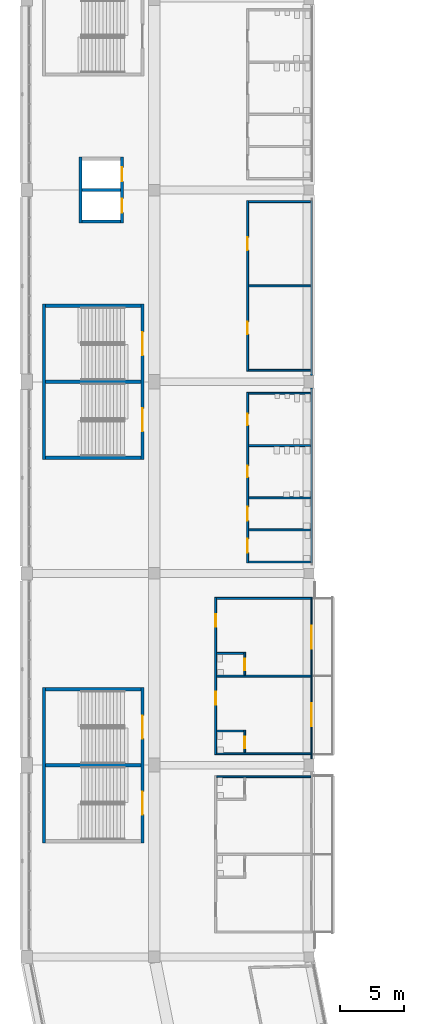
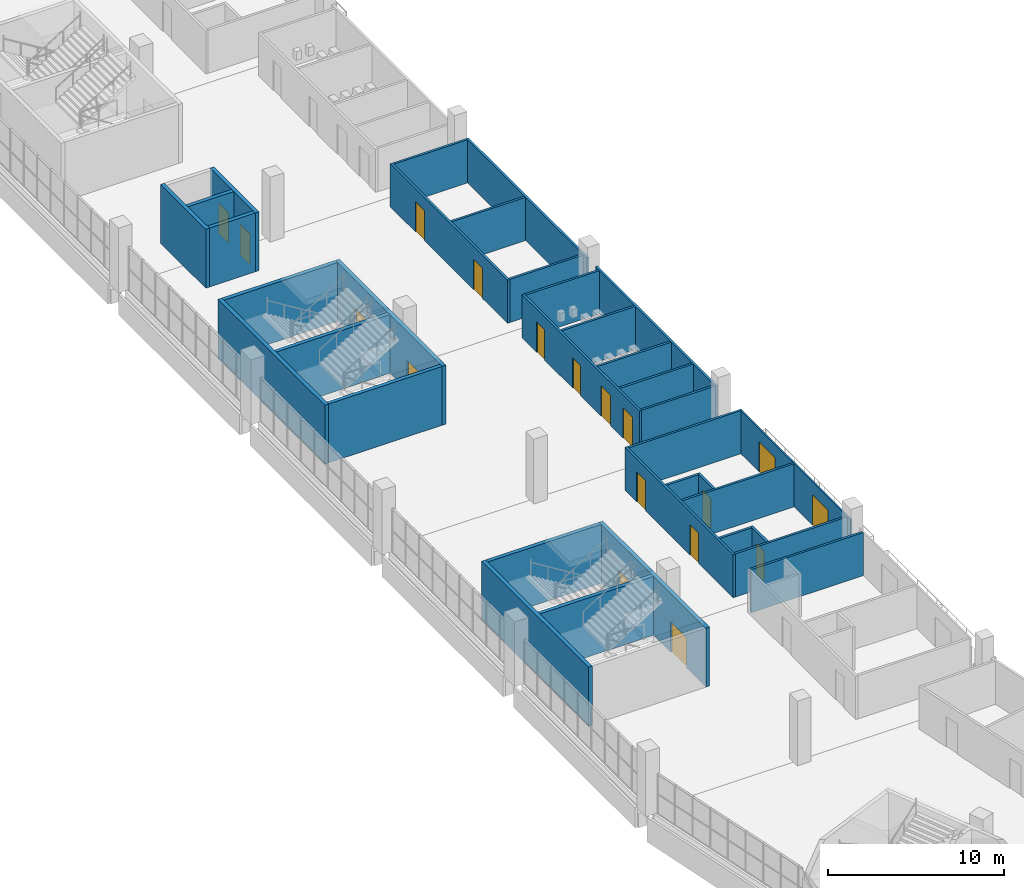
# One storey, part 77 of 199: 35 walls, 18 doors, 18 openings.
"""IFC4 building model written with IfcOpenShell, lengths in metres."""

from ifc_helpers import new_model, si_unit, direction, frame, frame_2d, origin, place, context, subcontext, project, spatial, rectangle, extrude, material, layer, layer_set, type_object, element, fill, save


model = new_model("IFC4")

# Units and contexts
model_context = context("Model", 3, precision=1e-05, world=origin(), true_north=direction((0.0, 1.0)))
body_context = subcontext(model_context, "Body", "Model", "MODEL_VIEW")
ifc_project = project(units=[si_unit("LENGTHUNIT", "METRE"), si_unit("AREAUNIT", "SQUARE_METRE"), si_unit("VOLUMEUNIT", "CUBIC_METRE"), si_unit("PLANEANGLEUNIT", "RADIAN"), si_unit("MASSUNIT", "GRAM", prefix="KILO")], contexts=[model_context])

# Site, building, storey
site_placement = place(None, origin())
site = spatial("IfcSite", under=ifc_project, at=site_placement, CompositionType="ELEMENT")
building_placement = place(site_placement, origin())
building = spatial("IfcBuilding", under=site, at=building_placement, Name="Ogive Plaza Stadium", CompositionType="ELEMENT")
storey_placement = place(building_placement, frame((0.0, 0.0, 9.0)))
storey = spatial("IfcBuildingStorey", under=building, at=storey_placement, Name="L02", CompositionType="ELEMENT", Elevation=9.0)

# Wall
ifc_material_1 = material(Name="Masonry blockwork", Category="masonry")
ifc_layer_1 = layer(ifc_material_1, 0.14990234375)
ifc_layer_set_1 = layer_set([ifc_layer_1], Name="Blockwork wall 150")
wall_type_1 = type_object("IfcWallType", Name="Blockwork wall 150", PredefinedType="SOLIDWALL", material=ifc_layer_set_1)
wall_1_placement = place(storey_placement, frame((-61.75, -38.39990234375, 0.0), z_axis=(0.0, 0.0, 1.0), x_axis=(-1.0, 0.0, 0.0)))
element("IfcWall", 1, at=wall_1_placement, inside=storey, type_object=wall_type_1, Name="Wall L02 B21", PredefinedType="SOLIDWALL", context=body_context, shape_type="SweptSolid", body=[
    extrude(rectangle(XDim=7.375, YDim=0.14990234375, at=frame_2d((3.6875, 0.0))), origin(), (0.0, 0.0, 1.0), 3.0),
])

# Wall, openings, doors
wall_2_placement = place(storey_placement, frame((-69.199951171875, -36.675048828125, 0.0), z_axis=(0.0, 0.0, 1.0), x_axis=(0.0, 1.0, 0.0)))
wall_2 = element("IfcWall", 2, at=wall_2_placement, inside=storey, type_object=wall_type_1, Name="Wall L02 B22", PredefinedType="SOLIDWALL", context=body_context, shape_type="SweptSolid", body=[
    extrude(rectangle(XDim=12.300048828125, YDim=0.14990234375, at=frame_2d((6.14990234375, 0.0))), origin(), (0.0, 0.0, 1.0), 3.0),
])
opening_1_placement = place(wall_2_placement, frame((3.916015625, 0.0, 0.0)))
opening_1 = element("IfcOpeningElement", 3, at=opening_1_placement, cuts=wall_2, Name="Opening D0685", PredefinedType="OPENING", context=body_context, shape_type="SweptSolid", body=[
    extrude(rectangle(XDim=1.0, YDim=2.10009765625, at=frame_2d((0.5, 1.050048828125))), frame((0.0, 0.074951171875, 0.0), z_axis=(0.0, -1.0, 0.0), x_axis=(1.0, 0.0, 0.0)), (0.0, 0.0, 1.0), 0.14990234375),
])
opening_2_placement = place(wall_2_placement, frame((9.990966796875, 0.0, 0.0)))
opening_2 = element("IfcOpeningElement", 4, at=opening_2_placement, cuts=wall_2, Name="Opening D0686", PredefinedType="OPENING", context=body_context, shape_type="SweptSolid", body=[
    extrude(rectangle(XDim=1.0, YDim=2.10009765625, at=frame_2d((0.5, 1.050048828125))), frame((0.0, 0.074951171875, 0.0), z_axis=(0.0, -1.0, 0.0), x_axis=(1.0, 0.0, 0.0)), (0.0, 0.0, 1.0), 0.14990234375),
])
ifc_material_2 = material(Name="Steel ASTM A572 Grade 50", Category="steel")
door_type_1 = type_object("IfcDoorType", Name="Fire door FD30S 1000 x 2100", OperationType="SINGLE_SWING_LEFT", PredefinedType="DOOR", material=ifc_material_2)
door_1_placement = place(opening_1_placement, origin())
door_1 = element("IfcDoor", 5, at=door_1_placement, inside=storey, type_object=door_type_1, Name="Hospitality Suite B22 door", OperationType="SINGLE_SWING_RIGHT", OverallHeight=2.10009765625, OverallWidth=1.0, PredefinedType="DOOR", context=body_context, shape_type="SweptSolid", body=[
    extrude(rectangle(XDim=1.0, YDim=2.10009765625, at=frame_2d((0.5, 1.050048828125))), frame((0.0, 0.02490234375, 0.0), z_axis=(0.0, -1.0, 0.0), x_axis=(1.0, 0.0, 0.0)), (0.0, 0.0, 1.0), 0.050048828125),
])
fill(opening_1, door_1)
door_2_placement = place(opening_2_placement, origin())
door_2 = element("IfcDoor", 6, at=door_2_placement, inside=storey, type_object=door_type_1, Name="Hospitality Suite B22 door", OperationType="SINGLE_SWING_RIGHT", OverallHeight=2.10009765625, OverallWidth=1.0, PredefinedType="DOOR", context=body_context, shape_type="SweptSolid", body=[
    extrude(rectangle(XDim=1.0, YDim=2.10009765625, at=frame_2d((0.5, 1.050048828125))), frame((0.0, 0.02490234375, 0.0), z_axis=(0.0, -1.0, 0.0), x_axis=(1.0, 0.0, 0.0)), (0.0, 0.0, 1.0), 0.050048828125),
])
fill(opening_2, door_2)

# Walls
for number, where, z_axis, x_axis, name in (
    (7, (-61.75, -36.60009765625, 0.0), (0.0, 0.0, 1.0), (-1.0, 0.0, 0.0), "Wall L02 B22"),
    (8, (-61.75, -30.52490234375, 0.0), (0.0, 0.0, 1.0), (-1.0, 0.0, 0.0), "Wall L02 B22"),
    (9, (-61.75, -24.449951171875, 0.0), (0.0, 0.0, 1.0), (-1.0, 0.0, 0.0), "Wall L02 B22"),
):
    element("IfcWall", number, at=place(storey_placement, frame(where, z_axis=z_axis, x_axis=x_axis)), inside=storey, type_object=wall_type_1, Name=name, PredefinedType="SOLIDWALL", context=body_context, shape_type="SweptSolid", body=[
        extrude(rectangle(XDim=7.375, YDim=0.14990234375, at=frame_2d((3.6875, 0.0))), origin(), (0.0, 0.0, 1.0), 3.0),
    ])
wall_3_placement = place(storey_placement, frame((-61.699951171875, -7.0, 0.0), z_axis=(0.0, 0.0, 1.0), x_axis=(0.0, 1.0, 0.0)))
element("IfcWall", 10, at=wall_3_placement, inside=storey, type_object=wall_type_1, Name="Wall L02 B24", PredefinedType="SOLIDWALL", context=body_context, shape_type="SweptSolid", body=[
    extrude(rectangle(XDim=13.675048828125, YDim=0.14990234375, at=frame_2d((6.83740234375, 0.0))), origin(), (0.0, 0.0, 1.0), 3.0),
])

# Wall, openings, doors
wall_4_placement = place(storey_placement, frame((-66.699951171875, -6.675048828125, 0.0), z_axis=(0.0, 0.0, 1.0), x_axis=(0.0, 1.0, 0.0)))
wall_4 = element("IfcWall", 11, at=wall_4_placement, inside=storey, type_object=wall_type_1, Name="Wall L02 B24", PredefinedType="SOLIDWALL", context=body_context, shape_type="SweptSolid", body=[
    extrude(rectangle(XDim=13.35009765625, YDim=0.14990234375, at=frame_2d((6.675048828125, 0.0))), origin(), (0.0, 0.0, 1.0), 3.0),
])
opening_3_placement = place(wall_4_placement, frame((2.875, 0.0, 0.0)))
opening_3 = element("IfcOpeningElement", 12, at=opening_3_placement, cuts=wall_4, Name="Opening D0695", PredefinedType="OPENING", context=body_context, shape_type="SweptSolid", body=[
    extrude(rectangle(XDim=1.0, YDim=2.10009765625, at=frame_2d((0.5, 1.050048828125))), frame((0.0, 0.074951171875, 0.0), z_axis=(0.0, -1.0, 0.0), x_axis=(1.0, 0.0, 0.0)), (0.0, 0.0, 1.0), 0.14990234375),
])
opening_4_placement = place(wall_4_placement, frame((9.47509765625, 0.0, 0.0)))
opening_4 = element("IfcOpeningElement", 13, at=opening_4_placement, cuts=wall_4, Name="Opening D0696", PredefinedType="OPENING", context=body_context, shape_type="SweptSolid", body=[
    extrude(rectangle(XDim=1.0, YDim=2.10009765625, at=frame_2d((0.5, 1.050048828125))), frame((0.0, 0.074951171875, 0.0), z_axis=(0.0, -1.0, 0.0), x_axis=(1.0, 0.0, 0.0)), (0.0, 0.0, 1.0), 0.14990234375),
])
ifc_material_3 = material(Name="Steel ASTM A572 Grade 50", Category="steel")
door_type_2 = type_object("IfcDoorType", Name="Fire door FD60 1000 x 2100", OperationType="SINGLE_SWING_LEFT", PredefinedType="DOOR", material=ifc_material_3)
door_3_placement = place(opening_3_placement, origin())
door_3 = element("IfcDoor", 14, at=door_3_placement, inside=storey, type_object=door_type_2, Name="Hospitality Pantry B24 door", OperationType="SINGLE_SWING_RIGHT", OverallHeight=2.10009765625, OverallWidth=1.0, PredefinedType="DOOR", context=body_context, shape_type="SweptSolid", body=[
    extrude(rectangle(XDim=1.0, YDim=2.10009765625, at=frame_2d((0.5, 1.050048828125))), frame((0.0, 0.02490234375, 0.0), z_axis=(0.0, -1.0, 0.0), x_axis=(1.0, 0.0, 0.0)), (0.0, 0.0, 1.0), 0.050048828125),
])
fill(opening_3, door_3)
door_4_placement = place(opening_4_placement, origin())
door_4 = element("IfcDoor", 15, at=door_4_placement, inside=storey, type_object=door_type_2, Name="Hospitality Store B24 door", OperationType="SINGLE_SWING_LEFT", OverallHeight=2.10009765625, OverallWidth=1.0, PredefinedType="DOOR", context=body_context, shape_type="SweptSolid", body=[
    extrude(rectangle(XDim=1.0, YDim=2.10009765625, at=frame_2d((0.5, 1.050048828125))), frame((0.0, 0.02490234375, 0.0), z_axis=(0.0, -1.0, 0.0), x_axis=(1.0, 0.0, 0.0)), (0.0, 0.0, 1.0), 0.050048828125),
])
fill(opening_4, door_4)

# Walls
for number, where, z_axis, x_axis, name in (
    (16, (-61.77490234375, -6.60009765625, 0.0), (0.0, 0.0, 1.0), (-1.0, 0.0, 0.0), "Wall L02 B24"),
    (17, (-61.77490234375, 0.0, 0.0), (0.0, 0.0, 1.0), (-1.0, 0.0, 0.0), "Wall L02 B24"),
    (18, (-61.77490234375, 6.60009765625, 0.0), (0.0, 0.0, 1.0), (-1.0, 0.0, 0.0), "Wall L02 B24"),
):
    element("IfcWall", number, at=place(storey_placement, frame(where, z_axis=z_axis, x_axis=x_axis)), inside=storey, type_object=wall_type_1, Name=name, PredefinedType="SOLIDWALL", context=body_context, shape_type="SweptSolid", body=[
        extrude(rectangle(XDim=4.85009765625, YDim=0.14990234375, at=frame_2d((2.425048828125, 0.0))), origin(), (0.0, 0.0, 1.0), 3.0),
    ])

# Wall, openings, doors
ifc_material_4 = material(Name="Concrete C40/50", Category="concrete")
ifc_layer_2 = layer(ifc_material_4, 0.25)
ifc_layer_set_2 = layer_set([ifc_layer_2], Name="Concrete C40/50")
wall_type_2 = type_object("IfcWallType", Name="Core wall 250", PredefinedType="SHEAR", material=ifc_layer_set_2)
wall_5_placement = place(storey_placement, frame((-74.925048828125, -31.425048828125, 0.0), z_axis=(0.0, 0.0, 1.0), x_axis=(0.0, -1.0, 0.0)))
wall_5 = element("IfcWall", 19, at=wall_5_placement, inside=storey, type_object=wall_type_2, Name="Stair core R22 inner wall", PredefinedType="SHEAR", context=body_context, shape_type="SweptSolid", body=[
    extrude(rectangle(XDim=12.14990234375, YDim=0.25, at=frame_2d((6.074951171875, 0.0))), origin(), (0.0, 0.0, 1.0), 4.090087890625),
])
opening_5_placement = place(wall_5_placement, frame((2.199951171875, 0.0, 0.0)))
opening_5 = element("IfcOpeningElement", 20, at=opening_5_placement, cuts=wall_5, Name="Opening D0175", PredefinedType="OPENING", context=body_context, shape_type="SweptSolid", body=[
    extrude(rectangle(XDim=1.800048828125, YDim=2.10009765625, at=frame_2d((0.89990234375, 1.050048828125))), frame((0.0, 0.125, 0.0), z_axis=(0.0, -1.0, 0.0), x_axis=(1.0, 0.0, 0.0)), (0.0, 0.0, 1.0), 0.25),
])
opening_6_placement = place(wall_5_placement, frame((8.14990234375, 0.0, 0.0)))
opening_6 = element("IfcOpeningElement", 21, at=opening_6_placement, cuts=wall_5, Name="Opening D0176", PredefinedType="OPENING", context=body_context, shape_type="SweptSolid", body=[
    extrude(rectangle(XDim=1.800048828125, YDim=2.10009765625, at=frame_2d((0.89990234375, 1.050048828125))), frame((0.0, 0.125, 0.0), z_axis=(0.0, -1.0, 0.0), x_axis=(1.0, 0.0, 0.0)), (0.0, 0.0, 1.0), 0.25),
])
ifc_material_5 = material(Name="Steel ASTM A572 Grade 50", Category="steel")
door_type_3 = type_object("IfcDoorType", Name="Fire door FD90 pair 1800 x 2100", OperationType="DOUBLE_DOOR_SINGLE_SWING", PredefinedType="DOOR", material=ifc_material_5)
door_5_placement = place(opening_5_placement, origin())
door_5 = element("IfcDoor", 22, at=door_5_placement, inside=storey, type_object=door_type_3, Name="Exit stair R22A door L02", OperationType="DOUBLE_DOOR_SINGLE_SWING", OverallHeight=2.10009765625, OverallWidth=1.800048828125, PredefinedType="DOOR", context=body_context, shape_type="SweptSolid", body=[
    extrude(rectangle(XDim=1.800048828125, YDim=2.10009765625, at=frame_2d((0.89990234375, 1.050048828125))), frame((0.0, 0.02490234375, 0.0), z_axis=(0.0, -1.0, 0.0), x_axis=(1.0, 0.0, 0.0)), (0.0, 0.0, 1.0), 0.050048828125),
])
fill(opening_5, door_5)
door_6_placement = place(opening_6_placement, origin())
door_6 = element("IfcDoor", 23, at=door_6_placement, inside=storey, type_object=door_type_3, Name="Exit stair R22B door L02", OperationType="DOUBLE_DOOR_SINGLE_SWING", OverallHeight=2.10009765625, OverallWidth=1.800048828125, PredefinedType="DOOR", context=body_context, shape_type="SweptSolid", body=[
    extrude(rectangle(XDim=1.800048828125, YDim=2.10009765625, at=frame_2d((0.89990234375, 1.050048828125))), frame((0.0, 0.02490234375, 0.0), z_axis=(0.0, -1.0, 0.0), x_axis=(1.0, 0.0, 0.0)), (0.0, 0.0, 1.0), 0.050048828125),
])
fill(opening_6, door_6)

# Walls
wall_6_placement = place(storey_placement, frame((-82.635009765625, -31.425048828125, 0.0), z_axis=(0.0, 0.0, 1.0), x_axis=(0.0, -1.0, 0.0)))
element("IfcWall", 24, at=wall_6_placement, inside=storey, type_object=wall_type_2, Name="Stair core R22 outer wall", PredefinedType="SHEAR", context=body_context, shape_type="SweptSolid", body=[
    extrude(rectangle(XDim=12.14990234375, YDim=0.25, at=frame_2d((6.074951171875, 0.0))), origin(), (0.0, 0.0, 1.0), 4.090087890625),
])
for number, where, z_axis, x_axis, name in (
    (25, (-75.050048828125, -31.550048828125, 0.0), (0.0, 0.0, 1.0), (-1.0, 0.0, 0.0), "Stair core R22 side wall"),
    (26, (-75.050048828125, -37.5, 0.0), (0.0, 0.0, 1.0), (-1.0, 0.0, 0.0), "Stair core R22 centre wall"),
):
    element("IfcWall", number, at=place(storey_placement, frame(where, z_axis=z_axis, x_axis=x_axis)), inside=storey, type_object=wall_type_2, Name=name, PredefinedType="SHEAR", context=body_context, shape_type="SweptSolid", body=[
        extrude(rectangle(XDim=7.4599609375, YDim=0.25, at=frame_2d((3.72998046875, 0.0))), origin(), (0.0, 0.0, 1.0), 4.090087890625),
    ])

# Wall, openings, doors
wall_7_placement = place(storey_placement, frame((-74.925048828125, -1.425048828125, 0.0), z_axis=(0.0, 0.0, 1.0), x_axis=(0.0, -1.0, 0.0)))
wall_7 = element("IfcWall", 27, at=wall_7_placement, inside=storey, type_object=wall_type_2, Name="Stair core R24 inner wall", PredefinedType="SHEAR", context=body_context, shape_type="SweptSolid", body=[
    extrude(rectangle(XDim=12.14990234375, YDim=0.25, at=frame_2d((6.074951171875, 0.0))), origin(), (0.0, 0.0, 1.0), 4.090087890625),
])
opening_7_placement = place(wall_7_placement, frame((2.199951171875, 0.0, 0.0)))
opening_7 = element("IfcOpeningElement", 28, at=opening_7_placement, cuts=wall_7, Name="Opening D0187", PredefinedType="OPENING", context=body_context, shape_type="SweptSolid", body=[
    extrude(rectangle(XDim=1.800048828125, YDim=2.10009765625, at=frame_2d((0.89990234375, 1.050048828125))), frame((0.0, 0.125, 0.0), z_axis=(0.0, -1.0, 0.0), x_axis=(1.0, 0.0, 0.0)), (0.0, 0.0, 1.0), 0.25),
])
opening_8_placement = place(wall_7_placement, frame((8.14990234375, 0.0, 0.0)))
opening_8 = element("IfcOpeningElement", 29, at=opening_8_placement, cuts=wall_7, Name="Opening D0188", PredefinedType="OPENING", context=body_context, shape_type="SweptSolid", body=[
    extrude(rectangle(XDim=1.800048828125, YDim=2.10009765625, at=frame_2d((0.89990234375, 1.050048828125))), frame((0.0, 0.125, 0.0), z_axis=(0.0, -1.0, 0.0), x_axis=(1.0, 0.0, 0.0)), (0.0, 0.0, 1.0), 0.25),
])
door_7_placement = place(opening_7_placement, origin())
door_7 = element("IfcDoor", 30, at=door_7_placement, inside=storey, type_object=door_type_3, Name="Exit stair R24A door L02", OperationType="DOUBLE_DOOR_SINGLE_SWING", OverallHeight=2.10009765625, OverallWidth=1.800048828125, PredefinedType="DOOR", context=body_context, shape_type="SweptSolid", body=[
    extrude(rectangle(XDim=1.800048828125, YDim=2.10009765625, at=frame_2d((0.89990234375, 1.050048828125))), frame((0.0, 0.02490234375, 0.0), z_axis=(0.0, -1.0, 0.0), x_axis=(1.0, 0.0, 0.0)), (0.0, 0.0, 1.0), 0.050048828125),
])
fill(opening_7, door_7)
door_8_placement = place(opening_8_placement, origin())
door_8 = element("IfcDoor", 31, at=door_8_placement, inside=storey, type_object=door_type_3, Name="Exit stair R24B door L02", OperationType="DOUBLE_DOOR_SINGLE_SWING", OverallHeight=2.10009765625, OverallWidth=1.800048828125, PredefinedType="DOOR", context=body_context, shape_type="SweptSolid", body=[
    extrude(rectangle(XDim=1.800048828125, YDim=2.10009765625, at=frame_2d((0.89990234375, 1.050048828125))), frame((0.0, 0.02490234375, 0.0), z_axis=(0.0, -1.0, 0.0), x_axis=(1.0, 0.0, 0.0)), (0.0, 0.0, 1.0), 0.050048828125),
])
fill(opening_8, door_8)

# Walls
wall_8_placement = place(storey_placement, frame((-82.635009765625, -1.425048828125, 0.0), z_axis=(0.0, 0.0, 1.0), x_axis=(0.0, -1.0, 0.0)))
element("IfcWall", 32, at=wall_8_placement, inside=storey, type_object=wall_type_2, Name="Stair core R24 outer wall", PredefinedType="SHEAR", context=body_context, shape_type="SweptSolid", body=[
    extrude(rectangle(XDim=12.14990234375, YDim=0.25, at=frame_2d((6.074951171875, 0.0))), origin(), (0.0, 0.0, 1.0), 4.090087890625),
])
for number, where, z_axis, x_axis, name in (
    (33, (-75.050048828125, -1.550048828125, 0.0), (0.0, 0.0, 1.0), (-1.0, 0.0, 0.0), "Stair core R24 side wall"),
    (34, (-75.050048828125, -13.449951171875, 0.0), (0.0, 0.0, 1.0), (-1.0, 0.0, 0.0), "Stair core R24 side wall"),
    (35, (-75.050048828125, -7.5, 0.0), (0.0, 0.0, 1.0), (-1.0, 0.0, 0.0), "Stair core R24 centre wall"),
):
    element("IfcWall", number, at=place(storey_placement, frame(where, z_axis=z_axis, x_axis=x_axis)), inside=storey, type_object=wall_type_2, Name=name, PredefinedType="SHEAR", context=body_context, shape_type="SweptSolid", body=[
        extrude(rectangle(XDim=7.4599609375, YDim=0.25, at=frame_2d((3.72998046875, 0.0))), origin(), (0.0, 0.0, 1.0), 4.090087890625),
    ])

# Wall, openings, doors
wall_9_placement = place(storey_placement, frame((-76.52490234375, 10.074951171875, 0.0), z_axis=(0.0, 0.0, 1.0), x_axis=(0.0, -1.0, 0.0)))
wall_9 = element("IfcWall", 36, at=wall_9_placement, inside=storey, type_object=wall_type_2, Name="Lift core LP25 landing wall", PredefinedType="SHEAR", context=body_context, shape_type="SweptSolid", body=[
    extrude(rectangle(XDim=5.14990234375, YDim=0.25, at=frame_2d((2.574951171875, 0.0))), origin(), (0.0, 0.0, 1.0), 4.090087890625),
])
opening_9_placement = place(wall_9_placement, frame((0.800048828125, 0.0, 0.0)))
opening_9 = element("IfcOpeningElement", 37, at=opening_9_placement, cuts=wall_9, Name="Opening LD062", PredefinedType="OPENING", context=body_context, shape_type="SweptSolid", body=[
    extrude(rectangle(XDim=1.10009765625, YDim=2.10009765625, at=frame_2d((0.550048828125, 1.050048828125))), frame((0.0, 0.125, 0.0), z_axis=(0.0, -1.0, 0.0), x_axis=(1.0, 0.0, 0.0)), (0.0, 0.0, 1.0), 0.25),
])
opening_10_placement = place(wall_9_placement, frame((3.25, 0.0, 0.0)))
opening_10 = element("IfcOpeningElement", 38, at=opening_10_placement, cuts=wall_9, Name="Opening LD063", PredefinedType="OPENING", context=body_context, shape_type="SweptSolid", body=[
    extrude(rectangle(XDim=1.10009765625, YDim=2.10009765625, at=frame_2d((0.550048828125, 1.050048828125))), frame((0.0, 0.125, 0.0), z_axis=(0.0, -1.0, 0.0), x_axis=(1.0, 0.0, 0.0)), (0.0, 0.0, 1.0), 0.25),
])
ifc_material_6 = material(Name="Steel ASTM A572 Grade 50", Category="steel")
door_type_4 = type_object("IfcDoorType", Name="Landing door 1100 x 2100", OperationType="SLIDING_TO_LEFT", PredefinedType="DOOR", material=ifc_material_6)
door_9_placement = place(opening_9_placement, origin())
door_9 = element("IfcDoor", 39, at=door_9_placement, inside=storey, type_object=door_type_4, Name="Lift landing door LP25 L02", OperationType="SLIDING_TO_LEFT", OverallHeight=2.10009765625, OverallWidth=1.10009765625, PredefinedType="DOOR", context=body_context, shape_type="SweptSolid", body=[
    extrude(rectangle(XDim=1.10009765625, YDim=2.10009765625, at=frame_2d((0.550048828125, 1.050048828125))), frame((0.0, 0.02490234375, 0.0), z_axis=(0.0, -1.0, 0.0), x_axis=(1.0, 0.0, 0.0)), (0.0, 0.0, 1.0), 0.050048828125),
])
fill(opening_9, door_9)
door_10_placement = place(opening_10_placement, origin())
door_10 = element("IfcDoor", 40, at=door_10_placement, inside=storey, type_object=door_type_4, Name="Lift landing door LP25 L02", OperationType="SLIDING_TO_LEFT", OverallHeight=2.10009765625, OverallWidth=1.10009765625, PredefinedType="DOOR", context=body_context, shape_type="SweptSolid", body=[
    extrude(rectangle(XDim=1.10009765625, YDim=2.10009765625, at=frame_2d((0.550048828125, 1.050048828125))), frame((0.0, 0.02490234375, 0.0), z_axis=(0.0, -1.0, 0.0), x_axis=(1.0, 0.0, 0.0)), (0.0, 0.0, 1.0), 0.050048828125),
])
fill(opening_10, door_10)

# Walls
wall_10_placement = place(storey_placement, frame((-79.77490234375, 10.074951171875, 0.0), z_axis=(0.0, 0.0, 1.0), x_axis=(0.0, -1.0, 0.0)))
element("IfcWall", 41, at=wall_10_placement, inside=storey, type_object=wall_type_2, Name="Lift core LP25 rear wall", PredefinedType="SHEAR", context=body_context, shape_type="SweptSolid", body=[
    extrude(rectangle(XDim=5.14990234375, YDim=0.25, at=frame_2d((2.574951171875, 0.0))), origin(), (0.0, 0.0, 1.0), 4.090087890625),
])
for number, where, z_axis, x_axis, name in (
    (42, (-76.64990234375, 5.050048828125, 0.0), (0.0, 0.0, 1.0), (-1.0, 0.0, 0.0), "Lift core LP25 side wall"),
    (43, (-76.64990234375, 7.5, 0.0), (0.0, 0.0, 1.0), (-1.0, 0.0, 0.0), "Lift core LP25 centre wall"),
):
    element("IfcWall", number, at=place(storey_placement, frame(where, z_axis=z_axis, x_axis=x_axis)), inside=storey, type_object=wall_type_2, Name=name, PredefinedType="SHEAR", context=body_context, shape_type="SweptSolid", body=[
        extrude(rectangle(XDim=3.0, YDim=0.25, at=frame_2d((1.5, 0.0))), origin(), (0.0, 0.0, 1.0), 4.090087890625),
    ])

# Wall, openings, doors
ifc_material_7 = material(Name="Laminated glass in aluminium frame", Category="aluminium")
ifc_layer_3 = layer(ifc_material_7, 0.10009765625)
ifc_layer_set_3 = layer_set([ifc_layer_3], Name="Glazed partition 100")
wall_type_3 = type_object("IfcWallType", Name="Glazed partition 100", PredefinedType="PARTITIONING", material=ifc_layer_set_3)
wall_11_placement = place(storey_placement, frame((-61.699951171875, -37.0, 0.0), z_axis=(0.0, 0.0, 1.0), x_axis=(0.0, 1.0, 0.0)))
wall_11 = element("IfcWall", 44, at=wall_11_placement, inside=storey, type_object=wall_type_3, Name="Wall L02 B22", PredefinedType="PARTITIONING", context=body_context, shape_type="SweptSolid", body=[
    extrude(rectangle(XDim=12.625, YDim=0.10009765625, at=frame_2d((6.3125, 0.0))), origin(), (0.0, 0.0, 1.0), 3.0),
])
opening_11_placement = place(wall_11_placement, frame((2.53759765625, 0.0, 0.0)))
opening_11 = element("IfcOpeningElement", 45, at=opening_11_placement, cuts=wall_11, Name="Opening D0687", PredefinedType="OPENING", context=body_context, shape_type="SweptSolid", body=[
    extrude(rectangle(XDim=1.800048828125, YDim=2.10009765625, at=frame_2d((0.89990234375, 1.050048828125))), frame((0.0, 0.050048828125, 0.0), z_axis=(0.0, -1.0, 0.0), x_axis=(1.0, 0.0, 0.0)), (0.0, 0.0, 1.0), 0.10009765625),
])
opening_12_placement = place(wall_11_placement, frame((8.612548828125, 0.0, 0.0)))
opening_12 = element("IfcOpeningElement", 46, at=opening_12_placement, cuts=wall_11, Name="Opening D0688", PredefinedType="OPENING", context=body_context, shape_type="SweptSolid", body=[
    extrude(rectangle(XDim=1.800048828125, YDim=2.10009765625, at=frame_2d((0.89990234375, 1.050048828125))), frame((0.0, 0.050048828125, 0.0), z_axis=(0.0, -1.0, 0.0), x_axis=(1.0, 0.0, 0.0)), (0.0, 0.0, 1.0), 0.10009765625),
])
ifc_material_8 = material(Name="Steel ASTM A572 Grade 50", Category="steel")
door_type_5 = type_object("IfcDoorType", Name="Door pair 1800 x 2100", OperationType="DOUBLE_DOOR_SINGLE_SWING", PredefinedType="DOOR", material=ifc_material_8)
door_11_placement = place(opening_11_placement, origin())
door_11 = element("IfcDoor", 47, at=door_11_placement, inside=storey, type_object=door_type_5, Name="Suite terrace door B22", OperationType="DOUBLE_DOOR_SINGLE_SWING", OverallHeight=2.10009765625, OverallWidth=1.800048828125, PredefinedType="DOOR", context=body_context, shape_type="SweptSolid", body=[
    extrude(rectangle(XDim=1.800048828125, YDim=2.10009765625, at=frame_2d((0.89990234375, 1.050048828125))), frame((0.0, 0.02490234375, 0.0), z_axis=(0.0, -1.0, 0.0), x_axis=(1.0, 0.0, 0.0)), (0.0, 0.0, 1.0), 0.050048828125),
])
fill(opening_11, door_11)
door_12_placement = place(opening_12_placement, origin())
door_12 = element("IfcDoor", 48, at=door_12_placement, inside=storey, type_object=door_type_5, Name="Suite terrace door B22", OperationType="DOUBLE_DOOR_SINGLE_SWING", OverallHeight=2.10009765625, OverallWidth=1.800048828125, PredefinedType="DOOR", context=body_context, shape_type="SweptSolid", body=[
    extrude(rectangle(XDim=1.800048828125, YDim=2.10009765625, at=frame_2d((0.89990234375, 1.050048828125))), frame((0.0, 0.02490234375, 0.0), z_axis=(0.0, -1.0, 0.0), x_axis=(1.0, 0.0, 0.0)), (0.0, 0.0, 1.0), 0.050048828125),
])
fill(opening_12, door_12)

# Wall, opening, door
ifc_material_9 = material(Name="Gypsum board partition", Category="gypsum")
ifc_layer_4 = layer(ifc_material_9, 0.14990234375)
ifc_layer_set_4 = layer_set([ifc_layer_4], Name="Partition 150")
wall_type_4 = type_object("IfcWallType", Name="Partition 150", PredefinedType="PARTITIONING", material=ifc_layer_set_4)
wall_12_placement = place(storey_placement, frame((-66.925048828125, -36.52490234375, 0.0), z_axis=(0.0, 0.0, 1.0), x_axis=(0.0, 1.0, 0.0)))
wall_12 = element("IfcWall", 49, at=wall_12_placement, inside=storey, type_object=wall_type_4, Name="Wall L02 B22", PredefinedType="PARTITIONING", context=body_context, shape_type="SweptSolid", body=[
    extrude(rectangle(XDim=1.77490234375, YDim=0.14990234375, at=frame_2d((0.887451171875, 0.0))), origin(), (0.0, 0.0, 1.0), 3.0),
])
opening_13_placement = place(wall_12_placement, frame((0.362548828125, 0.0, 0.0)))
opening_13 = element("IfcOpeningElement", 50, at=opening_13_placement, cuts=wall_12, Name="Opening D0689", PredefinedType="OPENING", context=body_context, shape_type="SweptSolid", body=[
    extrude(rectangle(XDim=0.89990234375, YDim=2.10009765625, at=frame_2d((0.449951171875, 1.050048828125))), frame((0.0, 0.074951171875, 0.0), z_axis=(0.0, -1.0, 0.0), x_axis=(1.0, 0.0, 0.0)), (0.0, 0.0, 1.0), 0.14990234375),
])
ifc_material_10 = material(Name="Steel ASTM A572 Grade 50", Category="steel")
door_type_6 = type_object("IfcDoorType", Name="Door 900 x 2100", OperationType="SINGLE_SWING_LEFT", PredefinedType="DOOR", material=ifc_material_10)
door_13_placement = place(opening_13_placement, origin())
door_13 = element("IfcDoor", 51, at=door_13_placement, inside=storey, type_object=door_type_6, Name="Suite WC B22 door", OperationType="SINGLE_SWING_LEFT", OverallHeight=2.10009765625, OverallWidth=0.89990234375, PredefinedType="DOOR", context=body_context, shape_type="SweptSolid", body=[
    extrude(rectangle(XDim=0.89990234375, YDim=2.10009765625, at=frame_2d((0.449951171875, 1.050048828125))), frame((0.0, 0.02490234375, 0.0), z_axis=(0.0, -1.0, 0.0), x_axis=(1.0, 0.0, 0.0)), (0.0, 0.0, 1.0), 0.050048828125),
])
fill(opening_13, door_13)

# Wall
wall_13_placement = place(storey_placement, frame((-67.0, -34.824951171875, 0.0), z_axis=(0.0, 0.0, 1.0), x_axis=(-1.0, 0.0, 0.0)))
element("IfcWall", 52, at=wall_13_placement, inside=storey, type_object=wall_type_4, Name="Wall L02 B22", PredefinedType="PARTITIONING", context=body_context, shape_type="SweptSolid", body=[
    extrude(rectangle(XDim=2.125, YDim=0.14990234375, at=frame_2d((1.0625, 0.0))), origin(), (0.0, 0.0, 1.0), 3.0),
])

# Wall, opening, door
wall_14_placement = place(storey_placement, frame((-66.925048828125, -30.449951171875, 0.0), z_axis=(0.0, 0.0, 1.0), x_axis=(0.0, 1.0, 0.0)))
wall_14 = element("IfcWall", 53, at=wall_14_placement, inside=storey, type_object=wall_type_4, Name="Wall L02 B22", PredefinedType="PARTITIONING", context=body_context, shape_type="SweptSolid", body=[
    extrude(rectangle(XDim=1.77490234375, YDim=0.14990234375, at=frame_2d((0.887451171875, 0.0))), origin(), (0.0, 0.0, 1.0), 3.0),
])
opening_14_placement = place(wall_14_placement, frame((0.362548828125, 0.0, 0.0)))
opening_14 = element("IfcOpeningElement", 54, at=opening_14_placement, cuts=wall_14, Name="Opening D0690", PredefinedType="OPENING", context=body_context, shape_type="SweptSolid", body=[
    extrude(rectangle(XDim=0.89990234375, YDim=2.10009765625, at=frame_2d((0.449951171875, 1.050048828125))), frame((0.0, 0.074951171875, 0.0), z_axis=(0.0, -1.0, 0.0), x_axis=(1.0, 0.0, 0.0)), (0.0, 0.0, 1.0), 0.14990234375),
])
door_14_placement = place(opening_14_placement, origin())
door_14 = element("IfcDoor", 55, at=door_14_placement, inside=storey, type_object=door_type_6, Name="Suite WC B22 door", OperationType="SINGLE_SWING_RIGHT", OverallHeight=2.10009765625, OverallWidth=0.89990234375, PredefinedType="DOOR", context=body_context, shape_type="SweptSolid", body=[
    extrude(rectangle(XDim=0.89990234375, YDim=2.10009765625, at=frame_2d((0.449951171875, 1.050048828125))), frame((0.0, 0.02490234375, 0.0), z_axis=(0.0, -1.0, 0.0), x_axis=(1.0, 0.0, 0.0)), (0.0, 0.0, 1.0), 0.050048828125),
])
fill(opening_14, door_14)

# Walls
wall_15_placement = place(storey_placement, frame((-67.0, -28.75, 0.0), z_axis=(0.0, 0.0, 1.0), x_axis=(-1.0, 0.0, 0.0)))
element("IfcWall", 56, at=wall_15_placement, inside=storey, type_object=wall_type_4, Name="Wall L02 B22", PredefinedType="PARTITIONING", context=body_context, shape_type="SweptSolid", body=[
    extrude(rectangle(XDim=2.125, YDim=0.14990234375, at=frame_2d((1.0625, 0.0))), origin(), (0.0, 0.0, 1.0), 3.0),
])
wall_16_placement = place(storey_placement, frame((-61.699951171875, -8.0, 0.0), z_axis=(0.0, 0.0, 1.0), x_axis=(0.0, -1.0, 0.0)))
element("IfcWall", 57, at=wall_16_placement, inside=storey, type_object=wall_type_4, Name="Wall L02 B23", PredefinedType="PARTITIONING", context=body_context, shape_type="SweptSolid", body=[
    extrude(rectangle(XDim=13.675048828125, YDim=0.14990234375, at=frame_2d((6.83740234375, 0.0))), origin(), (0.0, 0.0, 1.0), 3.0),
])

# Wall, openings, doors
wall_17_placement = place(storey_placement, frame((-66.699951171875, -8.324951171875, 0.0), z_axis=(0.0, 0.0, 1.0), x_axis=(0.0, -1.0, 0.0)))
wall_17 = element("IfcWall", 58, at=wall_17_placement, inside=storey, type_object=wall_type_4, Name="Wall L02 B23", PredefinedType="PARTITIONING", context=body_context, shape_type="SweptSolid", body=[
    extrude(rectangle(XDim=13.35009765625, YDim=0.14990234375, at=frame_2d((6.675048828125, 0.0))), origin(), (0.0, 0.0, 1.0), 3.0),
])
opening_15_placement = place(wall_17_placement, frame((1.6708984375, 0.0, 0.0)))
opening_15 = element("IfcOpeningElement", 59, at=opening_15_placement, cuts=wall_17, Name="Opening D0691", PredefinedType="OPENING", context=body_context, shape_type="SweptSolid", body=[
    extrude(rectangle(XDim=0.89990234375, YDim=2.10009765625, at=frame_2d((0.449951171875, 1.050048828125))), frame((0.0, 0.074951171875, 0.0), z_axis=(0.0, -1.0, 0.0), x_axis=(1.0, 0.0, 0.0)), (0.0, 0.0, 1.0), 0.14990234375),
])
opening_16_placement = place(wall_17_placement, frame((5.762939453125, 0.0, 0.0)))
opening_16 = element("IfcOpeningElement", 60, at=opening_16_placement, cuts=wall_17, Name="Opening D0692", PredefinedType="OPENING", context=body_context, shape_type="SweptSolid", body=[
    extrude(rectangle(XDim=0.89990234375, YDim=2.10009765625, at=frame_2d((0.449951171875, 1.050048828125))), frame((0.0, 0.074951171875, 0.0), z_axis=(0.0, -1.0, 0.0), x_axis=(1.0, 0.0, 0.0)), (0.0, 0.0, 1.0), 0.14990234375),
])
opening_17_placement = place(wall_17_placement, frame((8.962890625, 0.0, 0.0)))
opening_17 = element("IfcOpeningElement", 61, at=opening_17_placement, cuts=wall_17, Name="Opening D0693", PredefinedType="OPENING", context=body_context, shape_type="SweptSolid", body=[
    extrude(rectangle(XDim=1.10009765625, YDim=2.10009765625, at=frame_2d((0.550048828125, 1.050048828125))), frame((0.0, 0.074951171875, 0.0), z_axis=(0.0, -1.0, 0.0), x_axis=(1.0, 0.0, 0.0)), (0.0, 0.0, 1.0), 0.14990234375),
])
opening_18_placement = place(wall_17_placement, frame((11.470947265625, 0.0, 0.0)))
opening_18 = element("IfcOpeningElement", 62, at=opening_18_placement, cuts=wall_17, Name="Opening D0694", PredefinedType="OPENING", context=body_context, shape_type="SweptSolid", body=[
    extrude(rectangle(XDim=1.10009765625, YDim=2.10009765625, at=frame_2d((0.550048828125, 1.050048828125))), frame((0.0, 0.074951171875, 0.0), z_axis=(0.0, -1.0, 0.0), x_axis=(1.0, 0.0, 0.0)), (0.0, 0.0, 1.0), 0.14990234375),
])
ifc_material_11 = material(Name="Steel ASTM A572 Grade 50", Category="steel")
door_type_7 = type_object("IfcDoorType", Name="Accessible door 1100 x 2100", OperationType="SINGLE_SWING_LEFT", PredefinedType="DOOR", material=ifc_material_11)
door_15_placement = place(opening_17_placement, origin())
door_15 = element("IfcDoor", 63, at=door_15_placement, inside=storey, type_object=door_type_7, Name="Accessible WC B23 door", OperationType="SINGLE_SWING_LEFT", OverallHeight=2.10009765625, OverallWidth=1.10009765625, PredefinedType="DOOR", context=body_context, shape_type="SweptSolid", body=[
    extrude(rectangle(XDim=1.10009765625, YDim=2.10009765625, at=frame_2d((0.550048828125, 1.050048828125))), frame((0.0, 0.02490234375, 0.0), z_axis=(0.0, -1.0, 0.0), x_axis=(1.0, 0.0, 0.0)), (0.0, 0.0, 1.0), 0.050048828125),
])
fill(opening_17, door_15)
door_16_placement = place(opening_18_placement, origin())
door_16 = element("IfcDoor", 64, at=door_16_placement, inside=storey, type_object=door_type_7, Name="Family WC B23 door", OperationType="SINGLE_SWING_RIGHT", OverallHeight=2.10009765625, OverallWidth=1.10009765625, PredefinedType="DOOR", context=body_context, shape_type="SweptSolid", body=[
    extrude(rectangle(XDim=1.10009765625, YDim=2.10009765625, at=frame_2d((0.550048828125, 1.050048828125))), frame((0.0, 0.02490234375, 0.0), z_axis=(0.0, -1.0, 0.0), x_axis=(1.0, 0.0, 0.0)), (0.0, 0.0, 1.0), 0.050048828125),
])
fill(opening_18, door_16)
door_17_placement = place(opening_15_placement, origin())
door_17 = element("IfcDoor", 65, at=door_17_placement, inside=storey, type_object=door_type_6, Name="Men's Toilet B23 door", OperationType="SINGLE_SWING_LEFT", OverallHeight=2.10009765625, OverallWidth=0.89990234375, PredefinedType="DOOR", context=body_context, shape_type="SweptSolid", body=[
    extrude(rectangle(XDim=0.89990234375, YDim=2.10009765625, at=frame_2d((0.449951171875, 1.050048828125))), frame((0.0, 0.02490234375, 0.0), z_axis=(0.0, -1.0, 0.0), x_axis=(1.0, 0.0, 0.0)), (0.0, 0.0, 1.0), 0.050048828125),
])
fill(opening_15, door_17)
door_18_placement = place(opening_16_placement, origin())
door_18 = element("IfcDoor", 66, at=door_18_placement, inside=storey, type_object=door_type_6, Name="Women's Toilet B23 door", OperationType="SINGLE_SWING_RIGHT", OverallHeight=2.10009765625, OverallWidth=0.89990234375, PredefinedType="DOOR", context=body_context, shape_type="SweptSolid", body=[
    extrude(rectangle(XDim=0.89990234375, YDim=2.10009765625, at=frame_2d((0.449951171875, 1.050048828125))), frame((0.0, 0.02490234375, 0.0), z_axis=(0.0, -1.0, 0.0), x_axis=(1.0, 0.0, 0.0)), (0.0, 0.0, 1.0), 0.050048828125),
])
fill(opening_16, door_18)

# Walls
for number, where, z_axis, x_axis, name in (
    (67, (-61.77490234375, -8.39990234375, 0.0), (0.0, 0.0, 1.0), (-1.0, 0.0, 0.0), "Wall L02 B23"),
    (68, (-61.77490234375, -12.491943359375, 0.0), (0.0, 0.0, 1.0), (-1.0, 0.0, 0.0), "Wall L02 B23"),
    (69, (-61.77490234375, -16.583984375, 0.0), (0.0, 0.0, 1.0), (-1.0, 0.0, 0.0), "Wall L02 B23"),
    (70, (-61.77490234375, -19.092041015625, 0.0), (0.0, 0.0, 1.0), (-1.0, 0.0, 0.0), "Wall L02 B23"),
    (71, (-61.77490234375, -21.60009765625, 0.0), (0.0, 0.0, 1.0), (-1.0, 0.0, 0.0), "Wall L02 B23"),
):
    element("IfcWall", number, at=place(storey_placement, frame(where, z_axis=z_axis, x_axis=x_axis)), inside=storey, type_object=wall_type_4, Name=name, PredefinedType="PARTITIONING", context=body_context, shape_type="SweptSolid", body=[
        extrude(rectangle(XDim=4.85009765625, YDim=0.14990234375, at=frame_2d((2.425048828125, 0.0))), origin(), (0.0, 0.0, 1.0), 3.0),
    ])

save(model, "model.ifc")
